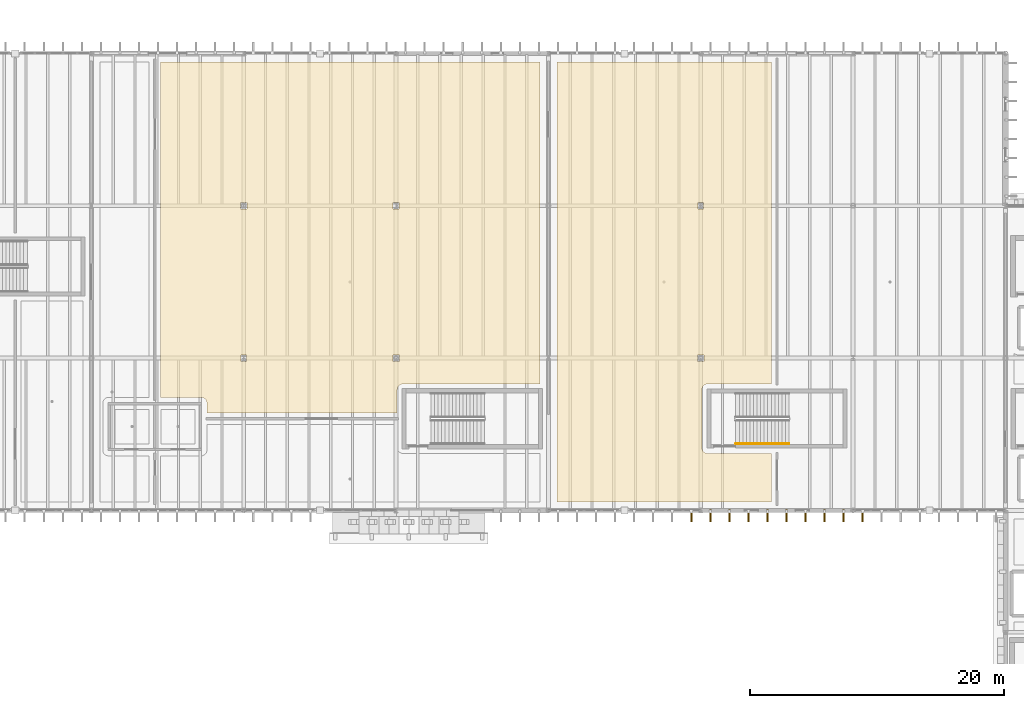
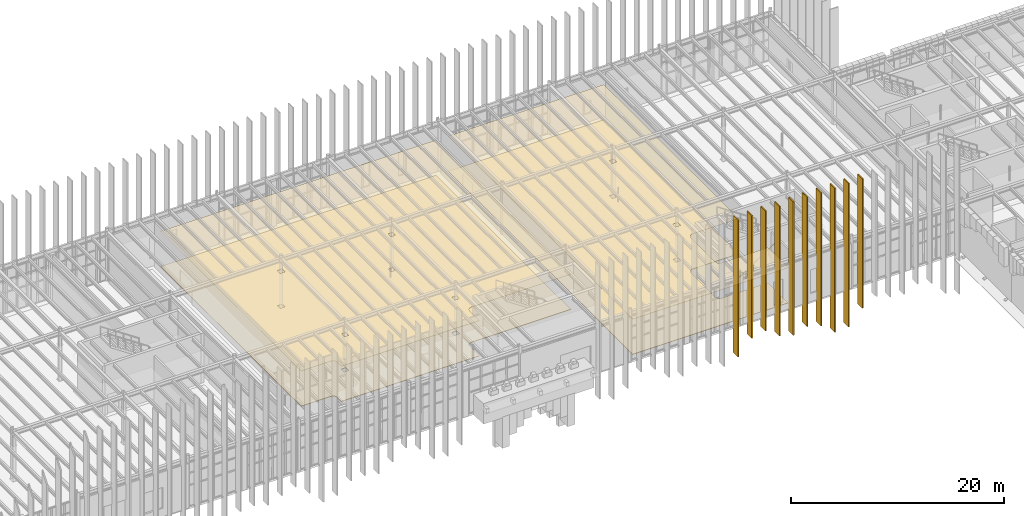
# One storey, part 68 of 83: 14 coverings, 1 railing.
"""IFC4 building model written with IfcOpenShell, lengths in metres."""

from ifc_helpers import new_model, si_unit, direction, frame, origin, origin_2d, place, context, subcontext, project, spatial, polyline, circle, outline, extrude, material, layer, layer_set, type_object, element, save


model = new_model("IFC4")

# Units and contexts
model_context = context("Model", 3, precision=1e-05, world=origin(), true_north=direction((0.0, 1.0)))
body_context = subcontext(model_context, "Body", "Model", "MODEL_VIEW")
ifc_project = project(units=[si_unit("LENGTHUNIT", "METRE"), si_unit("AREAUNIT", "SQUARE_METRE"), si_unit("VOLUMEUNIT", "CUBIC_METRE"), si_unit("PLANEANGLEUNIT", "RADIAN"), si_unit("MASSUNIT", "GRAM", prefix="KILO")], contexts=[model_context])

# Site, building, storey
site_placement = place(None, origin())
site = spatial("IfcSite", under=ifc_project, at=site_placement, CompositionType="ELEMENT")
building_placement = place(site_placement, origin())
building = spatial("IfcBuilding", under=site, at=building_placement, Name="Zlatogorsky Bluff Art Gallery", CompositionType="ELEMENT")
storey_placement = place(building_placement, frame((0.0, 0.0, 10.800048828125)))
storey = spatial("IfcBuildingStorey", under=building, at=storey_placement, Name="L02", CompositionType="ELEMENT", Elevation=10.800048828125)

# Coverings
ifc_material_1 = material(Name="Perforated Gypsum Acoustic Board", Category="gypsum")
ifc_layer_1 = layer(ifc_material_1, 0.0400390625)
ifc_layer_set_1 = layer_set([ifc_layer_1], Name="Acoustic Gallery Ceiling CLG-01")
covering_type_1 = type_object("IfcCoveringType", Name="Acoustic Gallery Ceiling CLG-01", PredefinedType="CEILING", material=ifc_layer_set_1)
covering_1_placement = place(storey_placement, frame((0.0, 0.0, 4.050048828125)))
element("IfcCovering", 1, at=covering_1_placement, inside=storey, type_object=covering_type_1, Name="Mughal Miniature and Decorative Arts Gallery acoustic ceiling", PredefinedType="CEILING", context=body_context, shape_type="SweptSolid", body=[
    extrude(outline(polyline([(53.449951171875, 119.330078125), (83.330078125, 119.330078125), (83.330078125, 93.9599609375), (72.549072265625, 93.9599609375), (72.504638671875, 93.957763671875), (72.460693359375, 93.951416015625), (72.459716796875, 93.951171875), (72.450439453125, 93.94921875), (72.449462890625, 93.948974609375), (72.40625, 93.93701171875), (72.3642578125, 93.9208984375), (72.36328125, 93.92041015625), (72.362548828125, 93.919921875), (72.326904296875, 93.902099609375), (72.325927734375, 93.901611328125), (72.293701171875, 93.882080078125), (72.26318359375, 93.859619140625), (72.26171875, 93.8583984375), (72.224609375, 93.8251953125), (72.19140625, 93.7880859375), (72.190185546875, 93.78662109375), (72.16796875, 93.75634765625), (72.148193359375, 93.72412109375), (72.147705078125, 93.72314453125), (72.1298828125, 93.6875), (72.129150390625, 93.685791015625), (72.113037109375, 93.643798828125), (72.10107421875, 93.6005859375), (72.100830078125, 93.599609375), (72.098876953125, 93.59033203125), (72.0986328125, 93.58935546875), (72.09228515625, 93.54541015625), (72.090087890625, 93.5009765625), (72.090087890625, 91.675048828125), (57.10009765625, 91.675048828125), (57.10009765625, 92.449951171875), (57.097900390625, 92.494140625), (57.09130859375, 92.537841796875), (57.08056640625, 92.58056640625), (57.065673828125, 92.622314453125), (57.046875, 92.662109375), (57.024169921875, 92.699951171875), (56.997802734375, 92.735595703125), (56.96826171875, 92.768310546875), (56.935546875, 92.7978515625), (56.89990234375, 92.82421875), (56.862060546875, 92.846923828125), (56.822265625, 92.86572265625), (56.780517578125, 92.880615234375), (56.73779296875, 92.891357421875), (56.694091796875, 92.897705078125), (56.64990234375, 92.89990234375), (53.449951171875, 92.89990234375), (53.449951171875, 119.330078125)]), holes=[polyline([(59.77001953125, 95.739990234375), (60.22998046875, 95.739990234375), (60.22998046875, 96.260009765625), (59.77001953125, 96.260009765625), (59.77001953125, 95.739990234375)]), polyline([(72.2578125, 95.7421875), (72.2578125, 96.2578125), (71.7421875, 96.2578125), (71.7421875, 95.7421875), (72.2578125, 95.7421875)]), polyline([(71.77001953125, 107.739990234375), (72.22998046875, 107.739990234375), (72.22998046875, 108.260009765625), (71.77001953125, 108.260009765625), (71.77001953125, 107.739990234375)]), polyline([(59.7421875, 107.7421875), (60.2578125, 107.7421875), (60.2578125, 108.2578125), (59.7421875, 108.2578125), (59.7421875, 107.7421875)])]), origin(), (0.0, 0.0, 1.0), 0.039794921875),
])
covering_2_placement = place(storey_placement, frame((0.0, 0.0, 4.050048828125)))
element("IfcCovering", 2, at=covering_2_placement, inside=storey, type_object=covering_type_1, Name="Avant-Garde Exhibition Hall acoustic ceiling", PredefinedType="CEILING", context=body_context, shape_type="SweptSolid", body=[
    extrude(outline(polyline([(101.550048828125, 93.9599609375), (96.549072265625, 93.9599609375), (96.504638671875, 93.957763671875), (96.460693359375, 93.951416015625), (96.459716796875, 93.951171875), (96.450439453125, 93.94921875), (96.449462890625, 93.948974609375), (96.40625, 93.93701171875), (96.3642578125, 93.9208984375), (96.36328125, 93.92041015625), (96.362548828125, 93.919921875), (96.326904296875, 93.902099609375), (96.325927734375, 93.901611328125), (96.293701171875, 93.882080078125), (96.26318359375, 93.859619140625), (96.26171875, 93.8583984375), (96.224609375, 93.8251953125), (96.19140625, 93.7880859375), (96.190185546875, 93.78662109375), (96.16796875, 93.75634765625), (96.148193359375, 93.72412109375), (96.147705078125, 93.72314453125), (96.1298828125, 93.6875), (96.129150390625, 93.685791015625), (96.113037109375, 93.643798828125), (96.10107421875, 93.6005859375), (96.100830078125, 93.599609375), (96.098876953125, 93.59033203125), (96.0986328125, 93.58935546875), (96.09228515625, 93.54541015625), (96.090087890625, 93.5009765625), (96.090087890625, 88.948974609375), (96.09228515625, 88.90478515625), (96.0986328125, 88.860595703125), (96.098876953125, 88.859619140625), (96.100830078125, 88.850341796875), (96.10107421875, 88.849609375), (96.113037109375, 88.80615234375), (96.129150390625, 88.764404296875), (96.1298828125, 88.762451171875), (96.147705078125, 88.726806640625), (96.148193359375, 88.725830078125), (96.16796875, 88.693603515625), (96.190185546875, 88.663330078125), (96.19140625, 88.661865234375), (96.224609375, 88.624755859375), (96.26171875, 88.591552734375), (96.26318359375, 88.59033203125), (96.293701171875, 88.568115234375), (96.325927734375, 88.54833984375), (96.326904296875, 88.5478515625), (96.362548828125, 88.530029296875), (96.3642578125, 88.529296875), (96.40625, 88.512939453125), (96.449462890625, 88.501220703125), (96.450439453125, 88.5009765625), (96.459716796875, 88.498779296875), (96.460693359375, 88.498779296875), (96.504638671875, 88.4921875), (96.549072265625, 88.489990234375), (101.550048828125, 88.489990234375), (101.550048828125, 84.669921875), (84.669921875, 84.669921875), (84.669921875, 119.330078125), (101.550048828125, 119.330078125), (101.550048828125, 93.9599609375)]), holes=[polyline([(95.7421875, 95.7421875), (96.2578125, 95.7421875), (96.2578125, 96.2578125), (95.7421875, 96.2578125), (95.7421875, 95.7421875)]), polyline([(95.77001953125, 107.739990234375), (96.22998046875, 107.739990234375), (96.22998046875, 108.260009765625), (95.77001953125, 108.260009765625), (95.77001953125, 107.739990234375)])]), origin(), (0.0, 0.0, 1.0), 0.039794921875),
])

# Railing
ifc_material_2 = material(Name="Brushed Stainless Steel", Category="steel")
railing_type = type_object("IfcRailingType", Name="Stair Pitch Handrail 900mm", PredefinedType="HANDRAIL", material=ifc_material_2)
railing_placement = place(storey_placement, frame((98.75, 89.25, 0.1875)))
element("IfcRailing", 3, at=railing_placement, inside=storey, type_object=railing_type, Name="L02 ST-01 stair handrail 1", PredefinedType="HANDRAIL", context=body_context, shape_type="SweptSolid", body=[
    extrude(circle(Radius=0.02392578125, at=origin_2d()), frame((0.0, 0.0, 0.8759765625), z_axis=(0.830904186295, 0.0, 0.556415522067), x_axis=(0.0, 1.0, 0.0)), (0.0, 0.0, 1.0), 5.0546875),
    extrude(circle(Radius=0.02099609375, at=origin_2d()), origin(), (0.0, 0.0, 1.0), 0.851806640625),
    extrude(circle(Radius=0.02099609375, at=origin_2d()), frame((0.840087890625, 0.0, 0.5625)), (0.0, 0.0, 1.0), 0.851806640625),
    extrude(circle(Radius=0.02099609375, at=origin_2d()), frame((1.679931640625, 0.0, 1.125)), (0.0, 0.0, 1.0), 0.851806640625),
    extrude(circle(Radius=0.02099609375, at=origin_2d()), frame((2.52001953125, 0.0, 1.6875)), (0.0, 0.0, 1.0), 0.851806640625),
    extrude(circle(Radius=0.02099609375, at=origin_2d()), frame((3.35986328125, 0.0, 2.25)), (0.0, 0.0, 1.0), 0.851806640625),
    extrude(circle(Radius=0.02099609375, at=origin_2d()), frame((4.199951171875, 0.0, 2.8125)), (0.0, 0.0, 1.0), 0.851806640625),
])

# Coverings
ifc_material_3 = material(Name="Polished Ural Marble Terrazzo", Category="masonry")
ifc_layer_2 = layer(ifc_material_3, 0.050048828125)
ifc_layer_set_2 = layer_set([ifc_layer_2], Name="Terrazzo Gallery Flooring FLR-01")
covering_type_2 = type_object("IfcCoveringType", Name="Terrazzo Gallery Flooring FLR-01", PredefinedType="FLOORING", material=ifc_layer_set_2)
covering_3_placement = place(storey_placement, origin())
element("IfcCovering", 4, at=covering_3_placement, inside=storey, type_object=covering_type_2, Name="Mughal Miniature and Decorative Arts Gallery terrazzo floor finish", PredefinedType="FLOORING", context=body_context, shape_type="SweptSolid", body=[
    extrude(outline(polyline([(53.449951171875, 119.330078125), (83.330078125, 119.330078125), (83.330078125, 93.9599609375), (72.549072265625, 93.9599609375), (72.504638671875, 93.957763671875), (72.460693359375, 93.951416015625), (72.459716796875, 93.951171875), (72.450439453125, 93.94921875), (72.449462890625, 93.948974609375), (72.40625, 93.93701171875), (72.3642578125, 93.9208984375), (72.36328125, 93.92041015625), (72.362548828125, 93.919921875), (72.326904296875, 93.902099609375), (72.325927734375, 93.901611328125), (72.293701171875, 93.882080078125), (72.26318359375, 93.859619140625), (72.26171875, 93.8583984375), (72.224609375, 93.8251953125), (72.19140625, 93.7880859375), (72.190185546875, 93.78662109375), (72.16796875, 93.75634765625), (72.148193359375, 93.72412109375), (72.147705078125, 93.72314453125), (72.1298828125, 93.6875), (72.129150390625, 93.685791015625), (72.113037109375, 93.643798828125), (72.10107421875, 93.6005859375), (72.100830078125, 93.599609375), (72.098876953125, 93.59033203125), (72.0986328125, 93.58935546875), (72.09228515625, 93.54541015625), (72.090087890625, 93.5009765625), (72.090087890625, 91.675048828125), (57.10009765625, 91.675048828125), (57.10009765625, 92.449951171875), (57.097900390625, 92.494140625), (57.09130859375, 92.537841796875), (57.08056640625, 92.58056640625), (57.065673828125, 92.622314453125), (57.046875, 92.662109375), (57.024169921875, 92.699951171875), (56.997802734375, 92.735595703125), (56.96826171875, 92.768310546875), (56.935546875, 92.7978515625), (56.89990234375, 92.82421875), (56.862060546875, 92.846923828125), (56.822265625, 92.86572265625), (56.780517578125, 92.880615234375), (56.73779296875, 92.891357421875), (56.694091796875, 92.897705078125), (56.64990234375, 92.89990234375), (53.449951171875, 92.89990234375), (53.449951171875, 119.330078125)]), holes=[polyline([(59.77001953125, 95.739990234375), (60.22998046875, 95.739990234375), (60.22998046875, 96.260009765625), (59.77001953125, 96.260009765625), (59.77001953125, 95.739990234375)]), polyline([(72.2578125, 95.7421875), (72.2578125, 96.2578125), (71.7421875, 96.2578125), (71.7421875, 95.7421875), (72.2578125, 95.7421875)]), polyline([(71.77001953125, 107.739990234375), (72.22998046875, 107.739990234375), (72.22998046875, 108.260009765625), (71.77001953125, 108.260009765625), (71.77001953125, 107.739990234375)]), polyline([(59.7421875, 107.7421875), (60.2578125, 107.7421875), (60.2578125, 108.2578125), (59.7421875, 108.2578125), (59.7421875, 107.7421875)])]), origin(), (0.0, 0.0, 1.0), 0.050048828125),
])
covering_4_placement = place(storey_placement, origin())
element("IfcCovering", 5, at=covering_4_placement, inside=storey, type_object=covering_type_2, Name="Avant-Garde Exhibition Hall terrazzo floor finish", PredefinedType="FLOORING", context=body_context, shape_type="SweptSolid", body=[
    extrude(outline(polyline([(101.550048828125, 93.9599609375), (96.549072265625, 93.9599609375), (96.504638671875, 93.957763671875), (96.460693359375, 93.951416015625), (96.459716796875, 93.951171875), (96.450439453125, 93.94921875), (96.449462890625, 93.948974609375), (96.40625, 93.93701171875), (96.3642578125, 93.9208984375), (96.36328125, 93.92041015625), (96.362548828125, 93.919921875), (96.326904296875, 93.902099609375), (96.325927734375, 93.901611328125), (96.293701171875, 93.882080078125), (96.26318359375, 93.859619140625), (96.26171875, 93.8583984375), (96.224609375, 93.8251953125), (96.19140625, 93.7880859375), (96.190185546875, 93.78662109375), (96.16796875, 93.75634765625), (96.148193359375, 93.72412109375), (96.147705078125, 93.72314453125), (96.1298828125, 93.6875), (96.129150390625, 93.685791015625), (96.113037109375, 93.643798828125), (96.10107421875, 93.6005859375), (96.100830078125, 93.599609375), (96.098876953125, 93.59033203125), (96.0986328125, 93.58935546875), (96.09228515625, 93.54541015625), (96.090087890625, 93.5009765625), (96.090087890625, 88.948974609375), (96.09228515625, 88.90478515625), (96.0986328125, 88.860595703125), (96.098876953125, 88.859619140625), (96.100830078125, 88.850341796875), (96.10107421875, 88.849609375), (96.113037109375, 88.80615234375), (96.129150390625, 88.764404296875), (96.1298828125, 88.762451171875), (96.147705078125, 88.726806640625), (96.148193359375, 88.725830078125), (96.16796875, 88.693603515625), (96.190185546875, 88.663330078125), (96.19140625, 88.661865234375), (96.224609375, 88.624755859375), (96.26171875, 88.591552734375), (96.26318359375, 88.59033203125), (96.293701171875, 88.568115234375), (96.325927734375, 88.54833984375), (96.326904296875, 88.5478515625), (96.362548828125, 88.530029296875), (96.3642578125, 88.529296875), (96.40625, 88.512939453125), (96.449462890625, 88.501220703125), (96.450439453125, 88.5009765625), (96.459716796875, 88.498779296875), (96.460693359375, 88.498779296875), (96.504638671875, 88.4921875), (96.549072265625, 88.489990234375), (101.550048828125, 88.489990234375), (101.550048828125, 84.669921875), (84.669921875, 84.669921875), (84.669921875, 119.330078125), (101.550048828125, 119.330078125), (101.550048828125, 93.9599609375)]), holes=[polyline([(95.7421875, 95.7421875), (96.2578125, 95.7421875), (96.2578125, 96.2578125), (95.7421875, 96.2578125), (95.7421875, 95.7421875)]), polyline([(95.77001953125, 107.739990234375), (96.22998046875, 107.739990234375), (96.22998046875, 108.260009765625), (95.77001953125, 108.260009765625), (95.77001953125, 107.739990234375)])]), origin(), (0.0, 0.0, 1.0), 0.050048828125),
])
ifc_material_4 = material(Name="Patinated Architectural Bronze Fin", Category="metal")
ifc_layer_3 = layer(ifc_material_4, 0.110107421875)
ifc_layer_set_3 = layer_set([ifc_layer_3], Name="Vertical Gallery Fin FIN-01")
covering_type_3 = type_object("IfcCoveringType", Name="Vertical Gallery Fin FIN-01", PredefinedType="CLADDING", material=ifc_layer_set_3)
covering_5_placement = place(storey_placement, frame((0.0, 0.0, -3.031982421875)))
element("IfcCovering", 6, at=covering_5_placement, inside=storey, type_object=covering_type_3, Name="Lifted gallery vertical bronze fin S.055", PredefinedType="CLADDING", context=body_context, shape_type="SweptSolid", body=[
    extrude(outline(polyline([(95.18994140625, 83.1201171875), (95.31005859375, 83.1201171875), (95.31005859375, 84.0400390625), (95.18994140625, 84.0400390625), (95.18994140625, 83.1201171875)])), origin(), (0.0, 0.0, 1.0), 15.7119140625),
])
covering_6_placement = place(storey_placement, frame((0.0, 0.0, -1.406005859375)))
element("IfcCovering", 7, at=covering_6_placement, inside=storey, type_object=covering_type_3, Name="Lifted gallery vertical bronze fin S.056", PredefinedType="CLADDING", context=body_context, shape_type="SweptSolid", body=[
    extrude(outline(polyline([(96.68994140625, 83.1201171875), (96.81005859375, 83.1201171875), (96.81005859375, 84.0400390625), (96.68994140625, 84.0400390625), (96.68994140625, 83.1201171875)])), origin(), (0.0, 0.0, 1.0), 14.0859375),
])
covering_7_placement = place(storey_placement, frame((0.0, 0.0, -1.074951171875)))
element("IfcCovering", 8, at=covering_7_placement, inside=storey, type_object=covering_type_3, Name="Lifted gallery vertical bronze fin S.057", PredefinedType="CLADDING", context=body_context, shape_type="SweptSolid", body=[
    extrude(outline(polyline([(98.18994140625, 83.1201171875), (98.31005859375, 83.1201171875), (98.31005859375, 84.0400390625), (98.18994140625, 84.0400390625), (98.18994140625, 83.1201171875)])), origin(), (0.0, 0.0, 1.0), 13.7548828125),
])
covering_8_placement = place(storey_placement, frame((0.0, 0.0, -2.18408203125)))
element("IfcCovering", 9, at=covering_8_placement, inside=storey, type_object=covering_type_3, Name="Lifted gallery vertical bronze fin S.058", PredefinedType="CLADDING", context=body_context, shape_type="SweptSolid", body=[
    extrude(outline(polyline([(99.68994140625, 83.1201171875), (99.81005859375, 83.1201171875), (99.81005859375, 84.0400390625), (99.68994140625, 84.0400390625), (99.68994140625, 83.1201171875)])), origin(), (0.0, 0.0, 1.0), 14.864013671875),
])
covering_9_placement = place(storey_placement, frame((0.0, 0.0, -2.6279296875)))
element("IfcCovering", 10, at=covering_9_placement, inside=storey, type_object=covering_type_3, Name="Lifted gallery vertical bronze fin S.059", PredefinedType="CLADDING", context=body_context, shape_type="SweptSolid", body=[
    extrude(outline(polyline([(101.18994140625, 83.1201171875), (101.31005859375, 83.1201171875), (101.31005859375, 84.0400390625), (101.18994140625, 84.0400390625), (101.18994140625, 83.1201171875)])), origin(), (0.0, 0.0, 1.0), 15.307861328125),
])
covering_10_placement = place(storey_placement, frame((0.0, 0.0, -2.1630859375)))
element("IfcCovering", 11, at=covering_10_placement, inside=storey, type_object=covering_type_3, Name="Lifted gallery vertical bronze fin S.060", PredefinedType="CLADDING", context=body_context, shape_type="SweptSolid", body=[
    extrude(outline(polyline([(102.68994140625, 83.1201171875), (102.81005859375, 83.1201171875), (102.81005859375, 84.0400390625), (102.68994140625, 84.0400390625), (102.68994140625, 83.1201171875)])), origin(), (0.0, 0.0, 1.0), 14.843017578125),
])
covering_11_placement = place(storey_placement, frame((0.0, 0.0, -2.608154296875)))
element("IfcCovering", 12, at=covering_11_placement, inside=storey, type_object=covering_type_3, Name="Lifted gallery vertical bronze fin S.061", PredefinedType="CLADDING", context=body_context, shape_type="SweptSolid", body=[
    extrude(outline(polyline([(104.18994140625, 83.1201171875), (104.31005859375, 83.1201171875), (104.31005859375, 84.0400390625), (104.18994140625, 84.0400390625), (104.18994140625, 83.1201171875)])), origin(), (0.0, 0.0, 1.0), 15.2880859375),
])
covering_12_placement = place(storey_placement, frame((0.0, 0.0, -3.87109375)))
element("IfcCovering", 13, at=covering_12_placement, inside=storey, type_object=covering_type_3, Name="Lifted gallery vertical bronze fin S.062", PredefinedType="CLADDING", context=body_context, shape_type="SweptSolid", body=[
    extrude(outline(polyline([(105.68994140625, 83.1201171875), (105.81005859375, 83.1201171875), (105.81005859375, 84.0400390625), (105.68994140625, 84.0400390625), (105.68994140625, 83.1201171875)])), origin(), (0.0, 0.0, 1.0), 16.551025390625),
])
covering_13_placement = place(storey_placement, frame((0.0, 0.0, -3.762939453125)))
element("IfcCovering", 14, at=covering_13_placement, inside=storey, type_object=covering_type_3, Name="Lifted gallery vertical bronze fin S.063", PredefinedType="CLADDING", context=body_context, shape_type="SweptSolid", body=[
    extrude(outline(polyline([(107.18994140625, 83.1201171875), (107.31005859375, 83.1201171875), (107.31005859375, 84.0400390625), (107.18994140625, 84.0400390625), (107.18994140625, 83.1201171875)])), origin(), (0.0, 0.0, 1.0), 16.44287109375),
])
covering_14_placement = place(storey_placement, frame((0.0, 0.0, -2.137939453125)))
element("IfcCovering", 15, at=covering_14_placement, inside=storey, type_object=covering_type_3, Name="Lifted gallery vertical bronze fin S.064", PredefinedType="CLADDING", context=body_context, shape_type="SweptSolid", body=[
    extrude(outline(polyline([(108.68994140625, 83.1201171875), (108.81005859375, 83.1201171875), (108.81005859375, 84.0400390625), (108.68994140625, 84.0400390625), (108.68994140625, 83.1201171875)])), origin(), (0.0, 0.0, 1.0), 14.81787109375),
])

save(model, "model.ifc")
